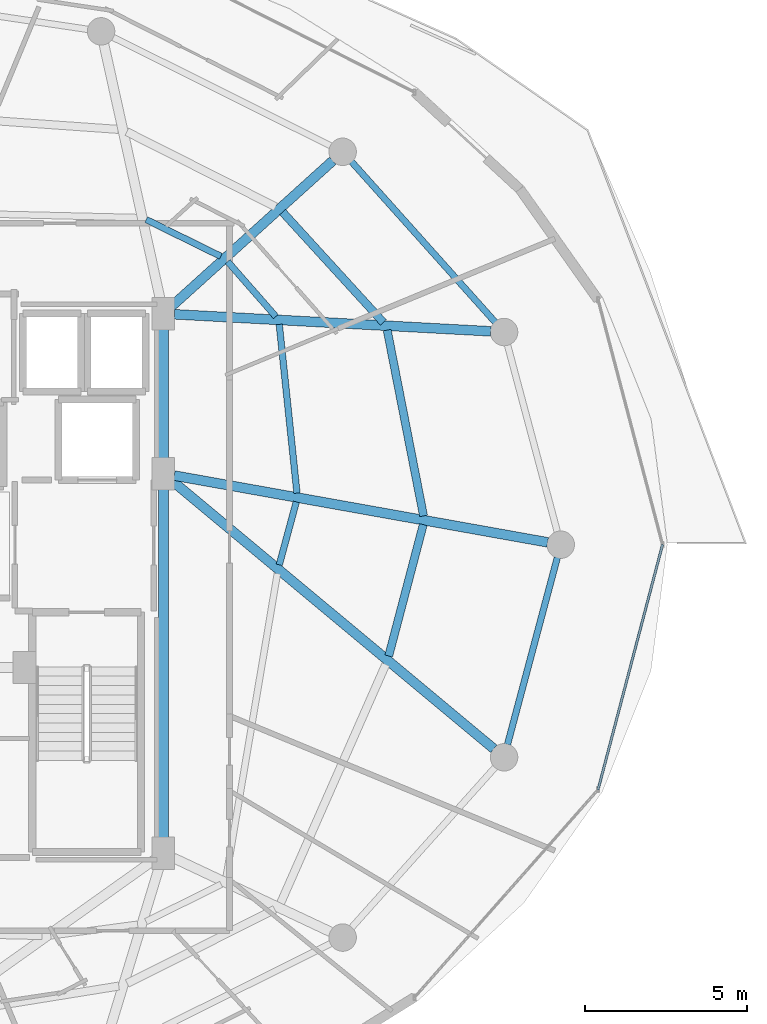
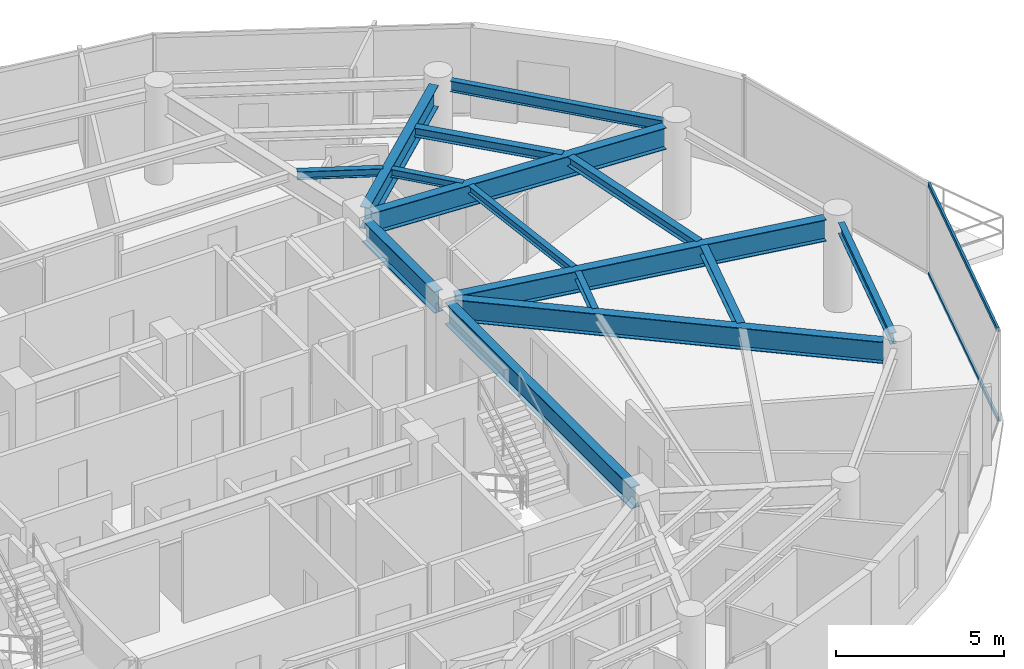
# One storey, part 15 of 32: 15 beams, 2 members, 1 element without a shape of its own.
"""IFC4 building model written with IfcOpenShell, lengths in metres."""

from ifc_helpers import new_model, si_unit, direction, frame, origin, origin_2d, place, context, subcontext, project, spatial, hollow_rectangle, i_section, extrude, material, material_profile, profile_set, type_object, element, aggregate, save


model = new_model("IFC4")

# Units and contexts
model_context = context("Model", 3, precision=1e-05, world=origin(), true_north=direction((0.0, 1.0)))
body_context = subcontext(model_context, "Body", "Model", "MODEL_VIEW")
ifc_project = project(units=[si_unit("LENGTHUNIT", "METRE"), si_unit("AREAUNIT", "SQUARE_METRE"), si_unit("VOLUMEUNIT", "CUBIC_METRE"), si_unit("PLANEANGLEUNIT", "RADIAN"), si_unit("MASSUNIT", "GRAM", prefix="KILO")], contexts=[model_context])

# Site, building, storey
site_placement = place(None, origin())
site = spatial("IfcSite", under=ifc_project, at=site_placement, CompositionType="ELEMENT")
building_placement = place(site_placement, origin())
building = spatial("IfcBuilding", under=site, at=building_placement, Name="Vorneva Point Tower", CompositionType="ELEMENT")
storey_placement = place(building_placement, frame((0.0, 0.0, 269.75)))
storey = spatial("IfcBuildingStorey", under=building, at=storey_placement, Name="L73", CompositionType="ELEMENT", Elevation=269.75)

# Beams
ifc_material_1 = material(Name="Steel S355", Category="steel")
ifc_material_profile_1 = material_profile(ifc_material_1, i_section(OverallWidth=0.300048828125, OverallDepth=0.7880859375, WebThickness=0.014404296875, FlangeThickness=0.02197265625, at=origin_2d()), Name="80Sh1")
ifc_profile_set_1 = profile_set([ifc_material_profile_1], Name="Steel S355")
beam_type_1 = type_object("IfcBeamType", Name="BM-GRD-80Sh1", PredefinedType="USERDEFINED", material=ifc_profile_set_1)
beam_1_placement = place(storey_placement, frame((60.6435546875, 26.07275390625, 2.89599609375), z_axis=(-0.9843788355, 0.17606336422, 0.0), x_axis=(-0.17606336422, -0.9843788355, 0.0)))
element("IfcBeam", 1, at=beam_1_placement, inside=storey, type_object=beam_type_1, Name="L73 Radial Primary Girder 01", ObjectType="GIRDER", PredefinedType="USERDEFINED", context=body_context, shape_type="SweptSolid", body=[
    extrude(i_section(OverallWidth=0.300048828125, OverallDepth=0.7880859375, WebThickness=0.014404296875, FlangeThickness=0.02197265625, at=origin_2d()), origin(), (0.0, 0.0, 1.0), 11.7421875),
])
beam_2_placement = place(storey_placement, frame((58.883056640625, 32.6044921875, 2.89599609375), z_axis=(-0.998554756376, 0.05374382308, 0.0), x_axis=(-0.05374382308, -0.998554756376, 0.0)))
element("IfcBeam", 2, at=beam_2_placement, inside=storey, type_object=beam_type_1, Name="L73 Radial Primary Girder 02", ObjectType="GIRDER", PredefinedType="USERDEFINED", context=body_context, shape_type="SweptSolid", body=[
    extrude(i_section(OverallWidth=0.300048828125, OverallDepth=0.7880859375, WebThickness=0.014404296875, FlangeThickness=0.02197265625, at=origin_2d()), origin(), (0.0, 0.0, 1.0), 9.8076171875),
])
beam_3_placement = place(storey_placement, frame((53.9921875, 37.885498046875, 2.89599609375), z_axis=(-0.7420671051, -0.670325601128, 0.0), x_axis=(0.670325601128, -0.7420671051, 0.0)))
element("IfcBeam", 3, at=beam_3_placement, inside=storey, type_object=beam_type_1, Name="L73 Radial Primary Girder 03", ObjectType="GIRDER", PredefinedType="USERDEFINED", context=body_context, shape_type="SweptSolid", body=[
    extrude(i_section(OverallWidth=0.300048828125, OverallDepth=0.7880859375, WebThickness=0.014404296875, FlangeThickness=0.02197265625, at=origin_2d()), origin(), (0.0, 0.0, 1.0), 6.724365234375),
])
beam_4_placement = place(storey_placement, frame((58.97802734375, 19.68212890625, 2.89599609375), z_axis=(-0.768424898021, 0.639939978515, 0.0), x_axis=(-0.639939978515, -0.768424898021, 0.0)))
element("IfcBeam", 4, at=beam_4_placement, inside=storey, type_object=beam_type_1, Name="L73 Radial Primary Girder 16", ObjectType="GIRDER", PredefinedType="USERDEFINED", context=body_context, shape_type="SweptSolid", body=[
    extrude(i_section(OverallWidth=0.300048828125, OverallDepth=0.7880859375, WebThickness=0.014404296875, FlangeThickness=0.02197265625, at=origin_2d()), origin(), (0.0, 0.0, 1.0), 12.970458984375),
])
beam_5_placement = place(storey_placement, frame((48.75, 16.77001953125, 2.89599609375), z_axis=(0.0, 1.0, 0.0), x_axis=(-1.0, 0.0, 0.0)))
element("IfcBeam", 5, at=beam_5_placement, inside=storey, type_object=beam_type_1, Name="L73 Core Tie Girder CT3", ObjectType="GIRDER", PredefinedType="USERDEFINED", context=body_context, shape_type="SweptSolid", body=[
    extrude(i_section(OverallWidth=0.300048828125, OverallDepth=0.7880859375, WebThickness=0.014404296875, FlangeThickness=0.02197265625, at=origin_2d()), origin(), (0.0, 0.0, 1.0), 11.10986328125),
])
beam_6_placement = place(storey_placement, frame((48.75, 28.52001953125, 2.89599609375), z_axis=(0.0, 1.0, 0.0), x_axis=(-1.0, 0.0, 0.0)))
element("IfcBeam", 6, at=beam_6_placement, inside=storey, type_object=beam_type_1, Name="L73 Core Tie Girder CT4", ObjectType="GIRDER", PredefinedType="USERDEFINED", context=body_context, shape_type="SweptSolid", body=[
    extrude(i_section(OverallWidth=0.300048828125, OverallDepth=0.7880859375, WebThickness=0.014404296875, FlangeThickness=0.02197265625, at=origin_2d()), origin(), (0.0, 0.0, 1.0), 4.31005859375),
])
ifc_material_profile_2 = material_profile(ifc_material_1, i_section(OverallWidth=0.199951171875, OverallDepth=0.291015625, WebThickness=0.008056640625, FlangeThickness=0.010986328125, at=origin_2d()), Name="30Sh1")
ifc_profile_set_2 = profile_set([ifc_material_profile_2], Name="Steel S355")
beam_type_2 = type_object("IfcBeamType", Name="BM-SEC-30Sh1", PredefinedType="BEAM", material=ifc_profile_set_2)
beam_7_placement = place(storey_placement, frame((52.884765625, 27.59521484375, 3.14453125), z_axis=(-0.104508201647, 0.994524024742, 0.0), x_axis=(-0.994524024742, -0.104508201647, 0.0)))
element("IfcBeam", 7, at=beam_7_placement, inside=storey, type_object=beam_type_2, Name="L73 Secondary Floor Beam 2.01", PredefinedType="BEAM", context=body_context, shape_type="SweptSolid", body=[
    extrude(i_section(OverallWidth=0.199951171875, OverallDepth=0.291015625, WebThickness=0.008056640625, FlangeThickness=0.010986328125, at=origin_2d()), origin(), (0.0, 0.0, 1.0), 5.25390625),
])
beam_8_placement = place(storey_placement, frame((52.23046875, 33.0615234375, 3.14453125), z_axis=(-0.659207612715, 0.75196098525, 0.0), x_axis=(-0.75196098525, -0.659207612715, 0.0)))
element("IfcBeam", 8, at=beam_8_placement, inside=storey, type_object=beam_type_2, Name="L73 Secondary Floor Beam 2.02", PredefinedType="BEAM", context=body_context, shape_type="SweptSolid", body=[
    extrude(i_section(OverallWidth=0.199951171875, OverallDepth=0.291015625, WebThickness=0.008056640625, FlangeThickness=0.010986328125, at=origin_2d()), origin(), (0.0, 0.0, 1.0), 2.260986328125),
])
beam_9_placement = place(storey_placement, frame((50.525146484375, 34.92626953125, 3.14453125), z_axis=(-0.897106439702, 0.441814481254, 0.0), x_axis=(-0.441814481254, -0.897106439702, 0.0)))
element("IfcBeam", 9, at=beam_9_placement, inside=storey, type_object=beam_type_2, Name="L73 Secondary Floor Beam 2.03", PredefinedType="BEAM", context=body_context, shape_type="SweptSolid", body=[
    extrude(i_section(OverallWidth=0.199951171875, OverallDepth=0.291015625, WebThickness=0.008056640625, FlangeThickness=0.010986328125, at=origin_2d()), origin(), (0.0, 0.0, 1.0), 2.572265625),
])
beam_10_placement = place(storey_placement, frame((52.336181640625, 25.37646484375, 3.14453125), z_axis=(0.26104917741, 0.96532550312, 0.0), x_axis=(-0.96532550312, 0.26104917741, 0.0)))
element("IfcBeam", 10, at=beam_10_placement, inside=storey, type_object=beam_type_2, Name="L73 Secondary Floor Beam 2.16", PredefinedType="BEAM", context=body_context, shape_type="SweptSolid", body=[
    extrude(i_section(OverallWidth=0.199951171875, OverallDepth=0.291015625, WebThickness=0.008056640625, FlangeThickness=0.010986328125, at=origin_2d()), origin(), (0.0, 0.0, 1.0), 2.018310546875),
])
ifc_material_profile_3 = material_profile(ifc_material_1, i_section(OverallWidth=0.2490234375, OverallDepth=0.333984375, WebThickness=0.008056640625, FlangeThickness=0.010986328125, at=origin_2d()), Name="35Sh1")
ifc_profile_set_3 = profile_set([ifc_material_profile_3], Name="Steel S355")
beam_type_3 = type_object("IfcBeamType", Name="BM-SEC-35Sh1", PredefinedType="BEAM", material=ifc_profile_set_3)
beam_11_placement = place(storey_placement, frame((56.802490234375, 26.890380859375, 3.123046875), z_axis=(-0.191925271484, 0.981409542528, 0.0), x_axis=(-0.981409542528, -0.191925271484, 0.0)))
element("IfcBeam", 11, at=beam_11_placement, inside=storey, type_object=beam_type_3, Name="L73 Secondary Floor Beam 1.01", PredefinedType="BEAM", context=body_context, shape_type="SweptSolid", body=[
    extrude(i_section(OverallWidth=0.2490234375, OverallDepth=0.333984375, WebThickness=0.008056640625, FlangeThickness=0.010986328125, at=origin_2d()), origin(), (0.0, 0.0, 1.0), 5.861572265625),
])
beam_12_placement = place(storey_placement, frame((55.55810546875, 32.88037109375, 3.123046875), z_axis=(-0.674370728017, 0.738392931436, 0.0), x_axis=(-0.738392931436, -0.674370728017, 0.0)))
element("IfcBeam", 12, at=beam_12_placement, inside=storey, type_object=beam_type_3, Name="L73 Secondary Floor Beam 1.02", PredefinedType="BEAM", context=body_context, shape_type="SweptSolid", body=[
    extrude(i_section(OverallWidth=0.2490234375, OverallDepth=0.333984375, WebThickness=0.008056640625, FlangeThickness=0.010986328125, at=origin_2d()), origin(), (0.0, 0.0, 1.0), 4.625732421875),
])
beam_13_placement = place(storey_placement, frame((55.72412109375, 22.5546875, 3.123046875), z_axis=(0.254401852256, 0.967098597646, 0.0), x_axis=(-0.967098597646, 0.254401852256, 0.0)))
element("IfcBeam", 13, at=beam_13_placement, inside=storey, type_object=beam_type_3, Name="L73 Secondary Floor Beam 1.16", PredefinedType="BEAM", context=body_context, shape_type="SweptSolid", body=[
    extrude(i_section(OverallWidth=0.2490234375, OverallDepth=0.333984375, WebThickness=0.008056640625, FlangeThickness=0.010986328125, at=origin_2d()), origin(), (0.0, 0.0, 1.0), 4.205322265625),
])
ifc_material_profile_4 = material_profile(ifc_material_1, i_section(OverallWidth=0.198974609375, OverallDepth=0.39599609375, WebThickness=0.007080078125, FlangeThickness=0.010986328125, at=origin_2d()), Name="40B1")
ifc_profile_set_4 = profile_set([ifc_material_profile_4], Name="Steel S355")
beam_type_4 = type_object("IfcBeamType", Name="BM-SPN-40B1", PredefinedType="SPANDREL", material=ifc_profile_set_4)
beam_14_placement = place(storey_placement, frame((59.02197265625, 32.8876953125, 3.092041015625), z_axis=(-0.667108282638, 0.744960763554, 0.0), x_axis=(-0.744960763554, -0.667108282638, 0.0)))
element("IfcBeam", 14, at=beam_14_placement, inside=storey, type_object=beam_type_4, Name="L73 Perimeter Spandrel Ring Beam 02", PredefinedType="SPANDREL", context=body_context, shape_type="SweptSolid", body=[
    extrude(i_section(OverallWidth=0.198974609375, OverallDepth=0.39599609375, WebThickness=0.007080078125, FlangeThickness=0.010986328125, at=origin_2d()), origin(), (0.0, 0.0, 1.0), 6.670166015625),
])
beam_15_placement = place(storey_placement, frame((59.40087890625, 19.81396484375, 3.092041015625), z_axis=(0.257586570866, 0.966255224312, 0.0), x_axis=(-0.966255224312, 0.257586570866, 0.0)))
element("IfcBeam", 15, at=beam_15_placement, inside=storey, type_object=beam_type_4, Name="L73 Perimeter Spandrel Ring Beam 16", PredefinedType="SPANDREL", context=body_context, shape_type="SweptSolid", body=[
    extrude(i_section(OverallWidth=0.198974609375, OverallDepth=0.39599609375, WebThickness=0.007080078125, FlangeThickness=0.010986328125, at=origin_2d()), origin(), (0.0, 0.0, 1.0), 5.991943359375),
])

# Curtain wall, members
ifc_material_2 = material(Name="Pale anodised aluminium", Category="aluminium")
curtain_wall_type = type_object("IfcCurtainWallType", Name="CW-RES-SYS", PredefinedType="NOTDEFINED", material=ifc_material_2)
curtain_wall_placement = place(storey_placement, origin())
curtain_wall = element("IfcCurtainWall", 16, at=curtain_wall_placement, inside=storey, type_object=curtain_wall_type, Name="L73 Unitised Curtain Wall CW-L73-R01", PredefinedType="NOTDEFINED")
ifc_material_profile_5 = material_profile(ifc_material_2, hollow_rectangle(XDim=0.074951171875, YDim=0.14990234375, WallThickness=0.00390625, at=origin_2d()), Name="AL-TRN 150x75x4")
ifc_profile_set_5 = profile_set([ifc_material_profile_5], Name="Pale anodised aluminium")
member_type = type_object("IfcMemberType", Name="CW-TRN-150", PredefinedType="USERDEFINED", material=ifc_profile_set_5)
member_1_placement = place(storey_placement, frame((62.20556640625, 18.4189453125, 0.02001953125), z_axis=(0.254418180926, 0.967094302131, 0.0), x_axis=(-0.967094302131, 0.254418180926, 0.0)))
member_1 = element("IfcMember", 17, at=member_1_placement, type_object=member_type, Name="CW-L73-R01 Transom 02.1", ObjectType="TRANSOM", PredefinedType="USERDEFINED", context=body_context, shape_type="SweptSolid", body=[
    extrude(hollow_rectangle(XDim=0.074951171875, YDim=0.14990234375, WallThickness=0.00390625, at=origin_2d()), origin(), (0.0, 0.0, 1.0), 7.839111328125),
])
member_2_placement = place(storey_placement, frame((62.20556640625, 18.4189453125, 3.27001953125), z_axis=(0.254418180926, 0.967094302131, 0.0), x_axis=(-0.967094302131, 0.254418180926, 0.0)))
member_2 = element("IfcMember", 18, at=member_2_placement, type_object=member_type, Name="CW-L73-R01 Transom 02.2", ObjectType="TRANSOM", PredefinedType="USERDEFINED", context=body_context, shape_type="SweptSolid", body=[
    extrude(hollow_rectangle(XDim=0.074951171875, YDim=0.14990234375, WallThickness=0.00390625, at=origin_2d()), origin(), (0.0, 0.0, 1.0), 7.839111328125),
])
aggregate(curtain_wall, [member_1, member_2])

save(model, "model.ifc")
